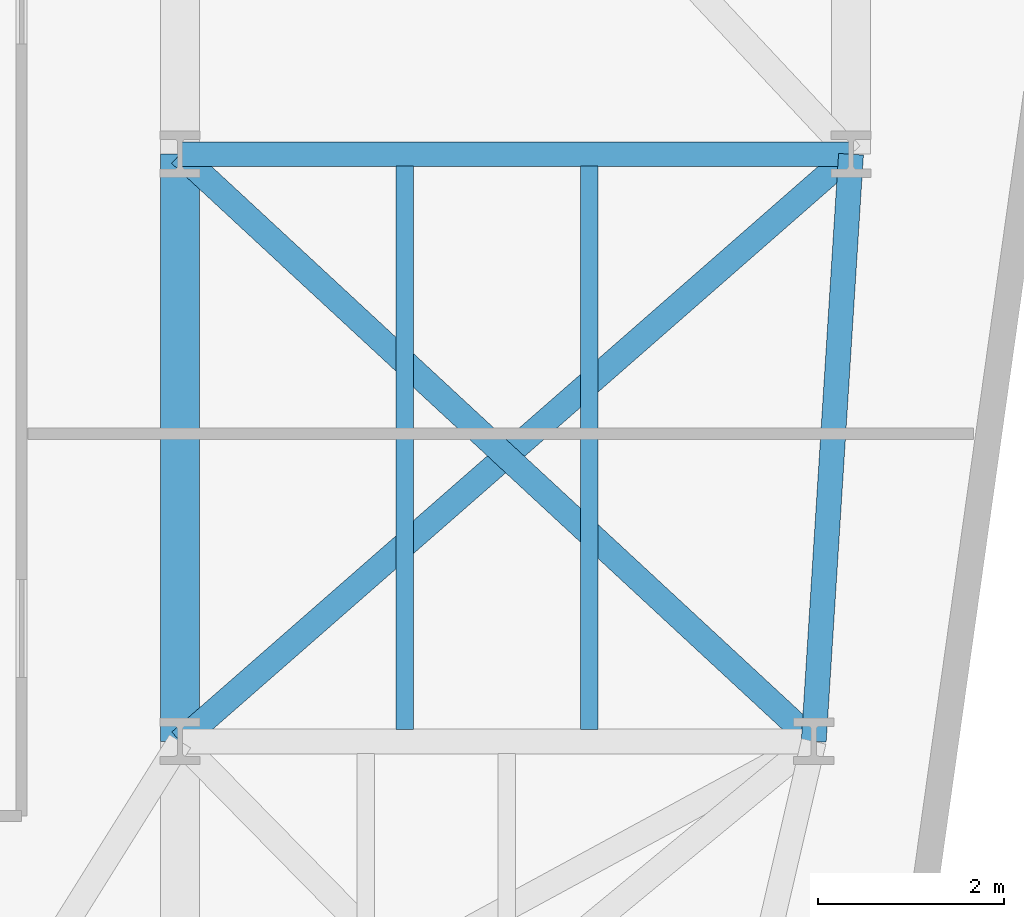
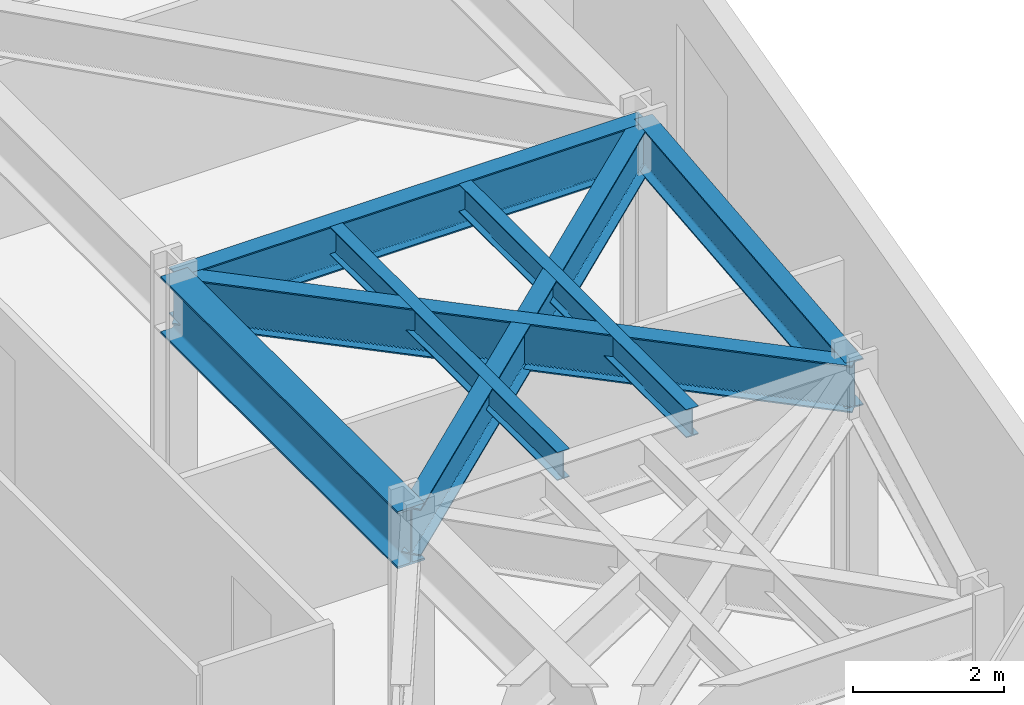
# One storey, part 14 of 24: 7 beams.
"""IFC4 building model written with IfcOpenShell, lengths in metres."""

from ifc_helpers import new_model, si_unit, direction, frame, origin, origin_2d, place, context, subcontext, project, spatial, i_section, extrude, material, material_profile, profile_set, type_object, element, save


model = new_model("IFC4")

# Units and contexts
model_context = context("Model", 3, precision=1e-05, world=origin(), true_north=direction((0.0, 1.0)))
body_context = subcontext(model_context, "Body", "Model", "MODEL_VIEW")
ifc_project = project(units=[si_unit("LENGTHUNIT", "METRE"), si_unit("AREAUNIT", "SQUARE_METRE"), si_unit("VOLUMEUNIT", "CUBIC_METRE"), si_unit("PLANEANGLEUNIT", "RADIAN"), si_unit("MASSUNIT", "GRAM", prefix="KILO")], contexts=[model_context])

# Site, building, storey
site_placement = place(None, origin())
site = spatial("IfcSite", under=ifc_project, at=site_placement, CompositionType="ELEMENT")
building_placement = place(site_placement, origin())
building = spatial("IfcBuilding", under=site, at=building_placement, Name="Kravanh Interchange Tower", CompositionType="ELEMENT")
storey_placement = place(building_placement, frame((0.0, 0.0, 69.5)))
storey = spatial("IfcBuildingStorey", under=building, at=storey_placement, Name="L16", CompositionType="ELEMENT", Elevation=69.5)

# Beams
ifc_material_1 = material(Name="Structural Steel S355", Category="steel")
ifc_material_profile_1 = material_profile(ifc_material_1, i_section(OverallWidth=0.41796875, OverallDepth=0.927001953125, WebThickness=0.019287109375, FlangeThickness=0.031982421875, FilletRadius=0.028076171875, at=origin_2d()), Name="W36X231")
ifc_profile_set_1 = profile_set([ifc_material_profile_1], Name="Structural Steel S355")
beam_type_1 = type_object("IfcBeamType", Name="Floor Beam W36X231 Structural Steel S355", PredefinedType="BEAM", material=ifc_profile_set_1)
beam_1_placement = place(storey_placement, frame((56.0, 14.5, 3.276611328125), z_axis=(0.0, -1.0, 0.0), x_axis=(1.0, 0.0, 0.0)))
element("IfcBeam", 1, at=beam_1_placement, inside=storey, type_object=beam_type_1, Name="L16 Primary Floor Girder 42", PredefinedType="BEAM", context=body_context, shape_type="SweptSolid", body=[
    extrude(i_section(OverallWidth=0.41796875, OverallDepth=0.927001953125, WebThickness=0.019287109375, FlangeThickness=0.031982421875, FilletRadius=0.028076171875, at=origin_2d()), origin(), (0.0, 0.0, 1.0), 6.300048828125),
])
ifc_material_2 = material(Name="Structural Steel S355", Category="steel")
ifc_material_profile_2 = material_profile(ifc_material_2, i_section(OverallWidth=0.18994140625, OverallDepth=0.45703125, WebThickness=0.009033203125, FlangeThickness=0.014404296875, FilletRadius=0.01806640625, at=origin_2d()), Name="W18X50")
ifc_profile_set_2 = profile_set([ifc_material_profile_2], Name="Structural Steel S355")
beam_type_2 = type_object("IfcBeamType", Name="Floor Joist W18X50 Structural Steel S355", PredefinedType="JOIST", material=ifc_profile_set_2)
for number, where, z_axis, x_axis, name in (
    (2, (58.409912109375, 8.32861328125, 3.511474609375), (0.0, 1.0, 0.0), (-1.0, 0.0, 0.0), "L16 Secondary Floor Joist 11"),
    (3, (60.389892578125, 8.32861328125, 3.511474609375), (0.0, 1.0, 0.0), (-1.0, 0.0, 0.0), "L16 Secondary Floor Joist 12"),
):
    element("IfcBeam", number, at=place(storey_placement, frame(where, z_axis=z_axis, x_axis=x_axis)), inside=storey, type_object=beam_type_2, Name=name, PredefinedType="JOIST", context=body_context, shape_type="SweptSolid", body=[
        extrude(i_section(OverallWidth=0.18994140625, OverallDepth=0.45703125, WebThickness=0.009033203125, FlangeThickness=0.014404296875, FilletRadius=0.01806640625, at=origin_2d()), origin(), (0.0, 0.0, 1.0), 6.04296875),
    ])
ifc_material_3 = material(Name="Structural Steel S355", Category="steel")
ifc_material_profile_3 = material_profile(ifc_material_3, i_section(OverallWidth=0.26708984375, OverallDepth=0.761962890625, WebThickness=0.014404296875, FlangeThickness=0.021484375, FilletRadius=0.02490234375, at=origin_2d()), Name="W30X116")
ifc_profile_set_3 = profile_set([ifc_material_profile_3], Name="Structural Steel S355")
beam_type_3 = type_object("IfcBeamType", Name="Floor Spandrel W30X116 Structural Steel S355", PredefinedType="SPANDREL", material=ifc_profile_set_3)
beam_2_placement = place(storey_placement, frame((56.0, 14.5, 3.35888671875), z_axis=(1.0, 0.0, 0.0), x_axis=(0.0, 1.0, 0.0)))
element("IfcBeam", 4, at=beam_2_placement, inside=storey, type_object=beam_type_3, Name="L16 Perimeter Spandrel 43", PredefinedType="SPANDREL", context=body_context, shape_type="SweptSolid", body=[
    extrude(i_section(OverallWidth=0.26708984375, OverallDepth=0.761962890625, WebThickness=0.014404296875, FlangeThickness=0.021484375, FilletRadius=0.02490234375, at=origin_2d()), origin(), (0.0, 0.0, 1.0), 7.199951171875),
])
beam_3_placement = place(storey_placement, frame((56.0, 14.5, 3.35888671875), z_axis=(0.733561267923, -0.679623326706, 0.0), x_axis=(0.679623326706, 0.733561267923, 0.0)))
element("IfcBeam", 5, at=beam_3_placement, inside=storey, type_object=beam_type_3, Name="L16 Perimeter Spandrel 45", PredefinedType="SPANDREL", context=body_context, shape_type="SweptSolid", body=[
    extrude(i_section(OverallWidth=0.26708984375, OverallDepth=0.761962890625, WebThickness=0.014404296875, FlangeThickness=0.021484375, FilletRadius=0.02490234375, at=origin_2d()), origin(), (0.0, 0.0, 1.0), 9.27001953125),
])
beam_4_placement = place(storey_placement, frame((63.199951171875, 14.5, 3.35888671875), z_axis=(-0.063348576418, -0.99799146182, 0.0), x_axis=(0.99799146182, -0.063348576418, 0.0)))
element("IfcBeam", 6, at=beam_4_placement, inside=storey, type_object=beam_type_3, Name="L16 Perimeter Spandrel 46", PredefinedType="SPANDREL", context=body_context, shape_type="SweptSolid", body=[
    extrude(i_section(OverallWidth=0.26708984375, OverallDepth=0.761962890625, WebThickness=0.014404296875, FlangeThickness=0.021484375, FilletRadius=0.02490234375, at=origin_2d()), origin(), (0.0, 0.0, 1.0), 6.312744140625),
])
beam_5_placement = place(storey_placement, frame((63.199951171875, 14.5, 3.35888671875), z_axis=(-0.752571952274, -0.658510027752, 0.0), x_axis=(0.658510027752, -0.752571952274, 0.0)))
element("IfcBeam", 7, at=beam_5_placement, inside=storey, type_object=beam_type_3, Name="L16 Perimeter Spandrel 48", PredefinedType="SPANDREL", context=body_context, shape_type="SweptSolid", body=[
    extrude(i_section(OverallWidth=0.26708984375, OverallDepth=0.761962890625, WebThickness=0.014404296875, FlangeThickness=0.021484375, FilletRadius=0.02490234375, at=origin_2d()), origin(), (0.0, 0.0, 1.0), 9.567138671875),
])

save(model, "model.ifc")
